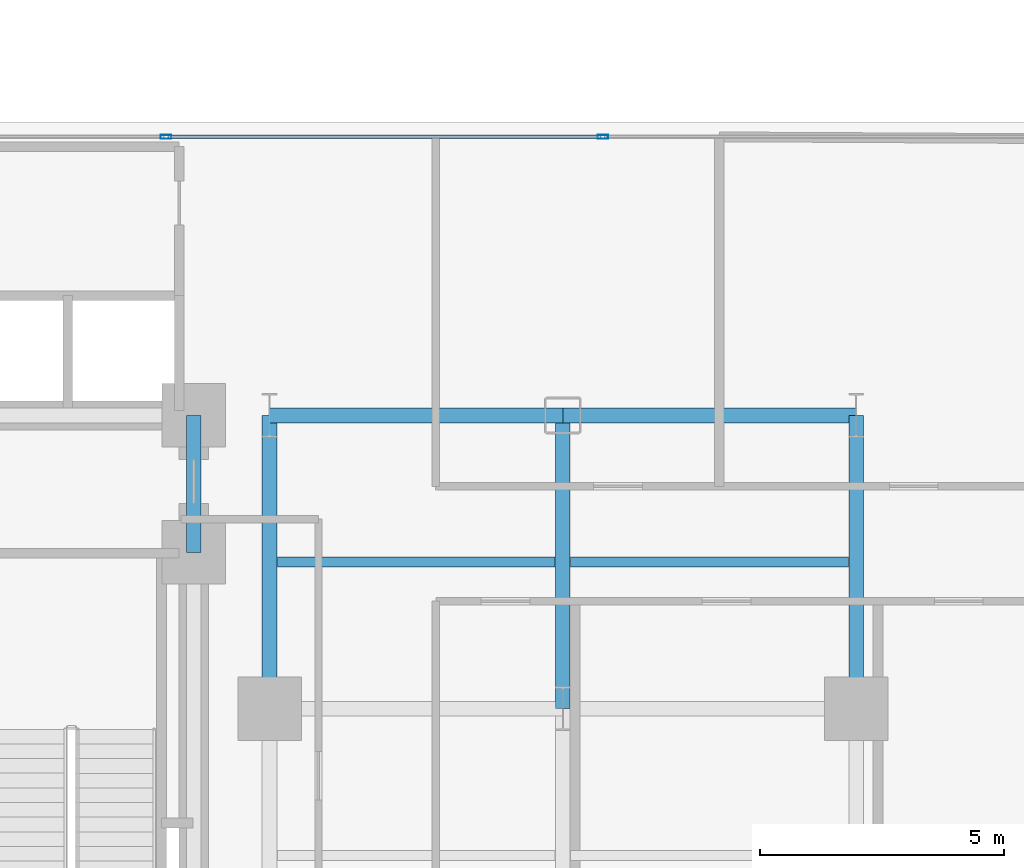
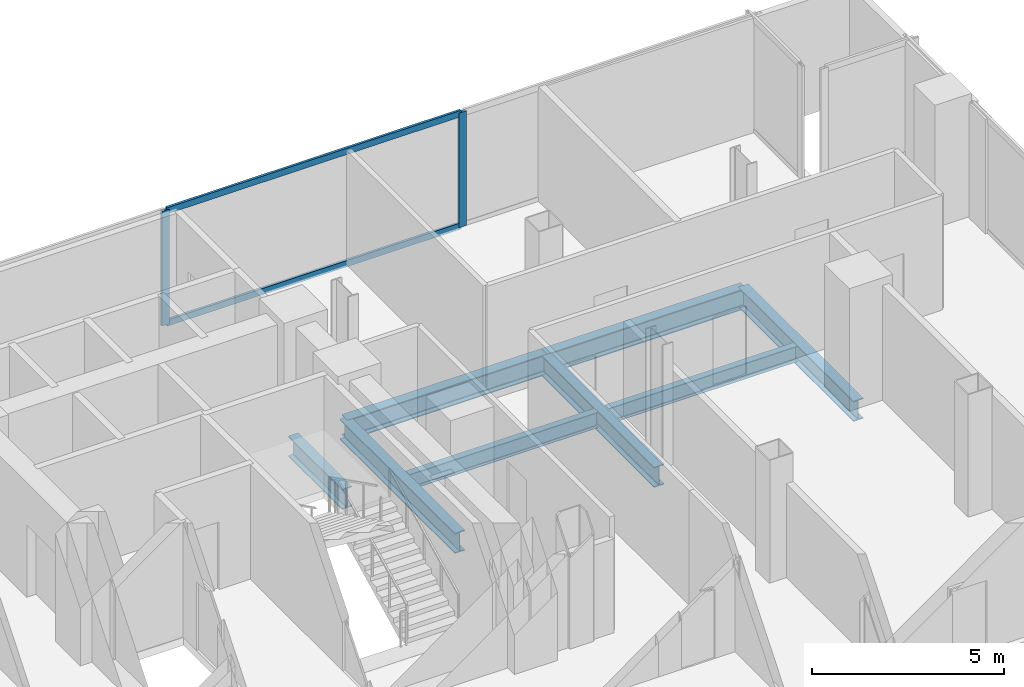
# One storey, part 11 of 27: 8 beams, 4 members, 1 element without a shape of its own.
"""IFC4 building model written with IfcOpenShell, lengths in metres."""

from ifc_helpers import new_model, si_unit, direction, frame, origin, origin_2d, place, context, subcontext, project, spatial, hollow_rectangle, i_section, extrude, material, layer, layer_set, material_profile, profile_set, type_object, element, aggregate, save


model = new_model("IFC4")

# Units and contexts
model_context = context("Model", 3, precision=1e-05, world=origin(), true_north=direction((0.0, 1.0)))
body_context = subcontext(model_context, "Body", "Model", "MODEL_VIEW")
ifc_project = project(units=[si_unit("LENGTHUNIT", "METRE"), si_unit("AREAUNIT", "SQUARE_METRE"), si_unit("VOLUMEUNIT", "CUBIC_METRE"), si_unit("PLANEANGLEUNIT", "RADIAN"), si_unit("MASSUNIT", "GRAM", prefix="KILO"), si_unit("THERMODYNAMICTEMPERATUREUNIT", "KELVIN"), si_unit("POWERUNIT", "WATT")], contexts=[model_context])

# Site, building, storey
site_placement = place(None, origin())
site = spatial("IfcSite", under=ifc_project, at=site_placement, CompositionType="ELEMENT")
building_placement = place(site_placement, origin())
building = spatial("IfcBuilding", under=site, at=building_placement, Name="Svarakhadi Broadcast Tower", CompositionType="ELEMENT")
storey_placement = place(building_placement, frame((0.0, 0.0, 71.39990234375)))
storey = spatial("IfcBuildingStorey", under=building, at=storey_placement, Name="L16", CompositionType="ELEMENT", Elevation=71.39990234375)

# Beams
ifc_material_1 = material(Name="Steel S355J2 (IS 2062 E350C)", Category="steel")
ifc_material_profile_1 = material_profile(ifc_material_1, i_section(OverallWidth=0.199951171875, OverallDepth=0.5, WebThickness=0.01025390625, FlangeThickness=0.01611328125, FilletRadius=0.02099609375, at=origin_2d()), Name="NPB 500x200x91")
ifc_profile_set_1 = profile_set([ifc_material_profile_1], Name="Steel S355J2 (IS 2062 E350C)")
beam_type_1 = type_object("IfcBeamType", Name="Beam_NPB500", PredefinedType="BEAM", material=ifc_profile_set_1)
for number, where, z_axis, x_axis, name in (
    (1, (35.31005859375, 15.0, -0.5), (1.0, 0.0, 0.0), (0.0, 1.0, 0.0), "L16 Secondary Composite Beam SB024"),
    (2, (41.31005859375, 15.0, -0.5), (1.0, 0.0, 0.0), (0.0, 1.0, 0.0), "L16 Secondary Composite Beam SB027"),
):
    element("IfcBeam", number, at=place(storey_placement, frame(where, z_axis=z_axis, x_axis=x_axis)), inside=storey, type_object=beam_type_1, Name=name, PredefinedType="BEAM", context=body_context, shape_type="SweptSolid", body=[
        extrude(i_section(OverallWidth=0.199951171875, OverallDepth=0.5, WebThickness=0.01025390625, FlangeThickness=0.01611328125, FilletRadius=0.02099609375, at=origin_2d()), origin(), (0.0, 0.0, 1.0), 5.679931640625),
    ])

# Curtain wall, members
ifc_material_2 = material(Name="Anodised Bronze Aluminium AA 6063-T6", Category="aluminium")
ifc_layer = layer(ifc_material_2, 0.219970703125)
ifc_layer_set = layer_set([ifc_layer], Name="Anodised Bronze Aluminium AA 6063-T6")
curtain_wall_type = type_object("IfcCurtainWallType", Name="CW_Sys_02", PredefinedType="NOTDEFINED", material=ifc_layer_set)
curtain_wall_placement = place(storey_placement, origin())
curtain_wall = element("IfcCurtainWall", 3, at=curtain_wall_placement, inside=storey, type_object=curtain_wall_type, Name="L16 Unitised Facade Curtain Wall 10", PredefinedType="NOTDEFINED")
ifc_material_profile_2 = material_profile(ifc_material_2, hollow_rectangle(XDim=0.0849609375, YDim=0.219970703125, WallThickness=0.006103515625, at=origin_2d()), Name="ALU MULLION 220x85x6")
ifc_profile_set_2 = profile_set([ifc_material_profile_2], Name="Anodised Bronze Aluminium AA 6063-T6")
member_type_1 = type_object("IfcMemberType", Name="CW_Sys_02_Mul", PredefinedType="MULLION", material=ifc_profile_set_2)
member_1_placement = place(storey_placement, frame((33.030029296875, 23.699951171875, 0.0), z_axis=(0.0, 0.0, 1.0), x_axis=(0.0, 1.0, 0.0)))
member_1 = element("IfcMember", 4, at=member_1_placement, type_object=member_type_1, Name="CW-02 mullion 2", PredefinedType="MULLION", context=body_context, shape_type="SweptSolid", body=[
    extrude(hollow_rectangle(XDim=0.0849609375, YDim=0.219970703125, WallThickness=0.006103515625, at=origin_2d()), origin(), (0.0, 0.0, 1.0), 3.650146484375),
])
member_2_placement = place(storey_placement, frame((41.969970703125, 23.699951171875, 0.0), z_axis=(0.0, 0.0, 1.0), x_axis=(0.0, 1.0, 0.0)))
member_2 = element("IfcMember", 5, at=member_2_placement, type_object=member_type_1, Name="CW-02 mullion 3", PredefinedType="MULLION", context=body_context, shape_type="SweptSolid", body=[
    extrude(hollow_rectangle(XDim=0.0849609375, YDim=0.219970703125, WallThickness=0.006103515625, at=origin_2d()), origin(), (0.0, 0.0, 1.0), 3.650146484375),
])
ifc_material_profile_3 = material_profile(ifc_material_2, hollow_rectangle(XDim=0.074951171875, YDim=0.199951171875, WallThickness=0.0048828125, at=origin_2d()), Name="ALU TRANSOM 200x75x5")
ifc_profile_set_3 = profile_set([ifc_material_profile_3], Name="Anodised Bronze Aluminium AA 6063-T6")
member_type_2 = type_object("IfcMemberType", Name="CW_Sys_02_Trn", PredefinedType="USERDEFINED", material=ifc_profile_set_3)
member_3_placement = place(storey_placement, frame((33.072509765625, 23.699951171875, 0.03759765625), z_axis=(1.0, 0.0, 0.0), x_axis=(0.0, 1.0, 0.0)))
member_3 = element("IfcMember", 6, at=member_3_placement, type_object=member_type_2, Name="CW-02 transom 2.1", ObjectType="TRANSOM", PredefinedType="USERDEFINED", context=body_context, shape_type="SweptSolid", body=[
    extrude(hollow_rectangle(XDim=0.074951171875, YDim=0.199951171875, WallThickness=0.0048828125, at=origin_2d()), origin(), (0.0, 0.0, 1.0), 8.85498046875),
])
member_4_placement = place(storey_placement, frame((33.072509765625, 23.699951171875, 3.612548828125), z_axis=(1.0, 0.0, 0.0), x_axis=(0.0, 1.0, 0.0)))
member_4 = element("IfcMember", 7, at=member_4_placement, type_object=member_type_2, Name="CW-02 transom 2.2", ObjectType="TRANSOM", PredefinedType="USERDEFINED", context=body_context, shape_type="SweptSolid", body=[
    extrude(hollow_rectangle(XDim=0.074951171875, YDim=0.199951171875, WallThickness=0.0048828125, at=origin_2d()), origin(), (0.0, 0.0, 1.0), 8.85498046875),
])
aggregate(curtain_wall, [member_1, member_2, member_3, member_4])

# Beams
ifc_material_profile_4 = material_profile(ifc_material_1, i_section(OverallWidth=0.300048828125, OverallDepth=0.64990234375, WebThickness=0.01611328125, FlangeThickness=0.031005859375, FilletRadius=0.027099609375, at=origin_2d()), Name="WPB 650x300x225")
ifc_profile_set_4 = profile_set([ifc_material_profile_4], Name="Steel S355J2 (IS 2062 E350C)")
beam_type_2 = type_object("IfcBeamType", Name="Girder_WPB650", PredefinedType="USERDEFINED", material=ifc_profile_set_4)
for number, where, z_axis, x_axis, name in (
    (8, (35.14990234375, 18.0, -0.574951171875), (1.0, 0.0, 0.0), (0.0, 1.0, 0.0), "L16 Primary E-W Girder G030"),
    (9, (41.14990234375, 18.0, -0.574951171875), (1.0, 0.0, 0.0), (0.0, 1.0, 0.0), "L16 Primary E-W Girder G031"),
):
    element("IfcBeam", number, at=place(storey_placement, frame(where, z_axis=z_axis, x_axis=x_axis)), inside=storey, type_object=beam_type_2, Name=name, ObjectType="GIRDER", PredefinedType="USERDEFINED", context=body_context, shape_type="SweptSolid", body=[
        extrude(i_section(OverallWidth=0.300048828125, OverallDepth=0.64990234375, WebThickness=0.01611328125, FlangeThickness=0.031005859375, FilletRadius=0.027099609375, at=origin_2d()), origin(), (0.0, 0.0, 1.0), 6.0),
    ])
beam_placement = place(storey_placement, frame((33.60009765625, 15.199951171875, -0.574951171875), z_axis=(0.0, 1.0, 0.0), x_axis=(-1.0, 0.0, 0.0)))
element("IfcBeam", 10, at=beam_placement, inside=storey, type_object=beam_type_2, Name="L16 Primary N-S Girder G075", ObjectType="GIRDER", PredefinedType="USERDEFINED", context=body_context, shape_type="SweptSolid", body=[
    extrude(i_section(OverallWidth=0.300048828125, OverallDepth=0.64990234375, WebThickness=0.01611328125, FlangeThickness=0.031005859375, FilletRadius=0.027099609375, at=origin_2d()), origin(), (0.0, 0.0, 1.0), 2.800048828125),
])
for number, where, z_axis, x_axis, name in (
    (11, (35.14990234375, 12.0, -0.574951171875), (0.0, 1.0, 0.0), (-1.0, 0.0, 0.0), "L16 Primary N-S Girder G078"),
    (12, (41.14990234375, 12.0, -0.574951171875), (0.0, 1.0, 0.0), (-1.0, 0.0, 0.0), "L16 Primary N-S Girder G081"),
    (13, (47.14990234375, 12.0, -0.574951171875), (0.0, 1.0, 0.0), (-1.0, 0.0, 0.0), "L16 Primary N-S Girder G084"),
):
    element("IfcBeam", number, at=place(storey_placement, frame(where, z_axis=z_axis, x_axis=x_axis)), inside=storey, type_object=beam_type_2, Name=name, ObjectType="GIRDER", PredefinedType="USERDEFINED", context=body_context, shape_type="SweptSolid", body=[
        extrude(i_section(OverallWidth=0.300048828125, OverallDepth=0.64990234375, WebThickness=0.01611328125, FlangeThickness=0.031005859375, FilletRadius=0.027099609375, at=origin_2d()), origin(), (0.0, 0.0, 1.0), 6.0),
    ])

save(model, "model.ifc")
